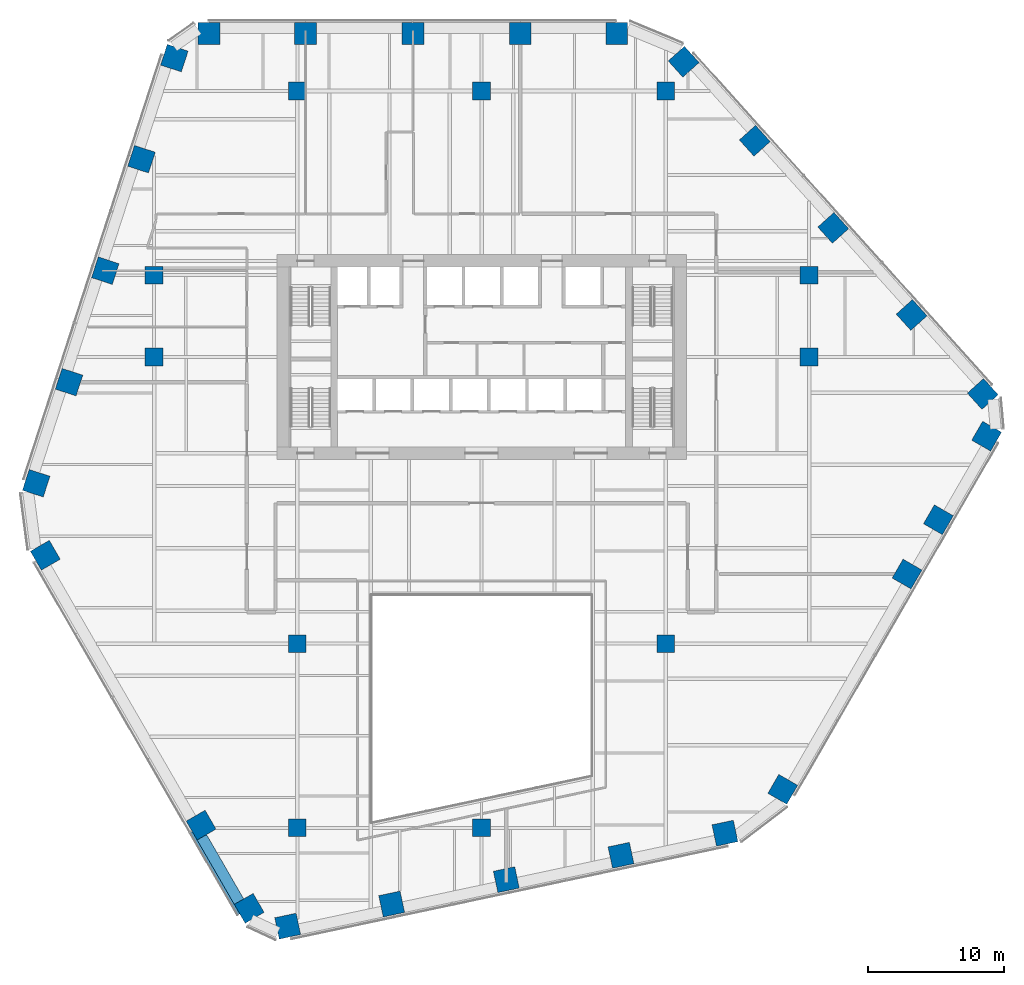
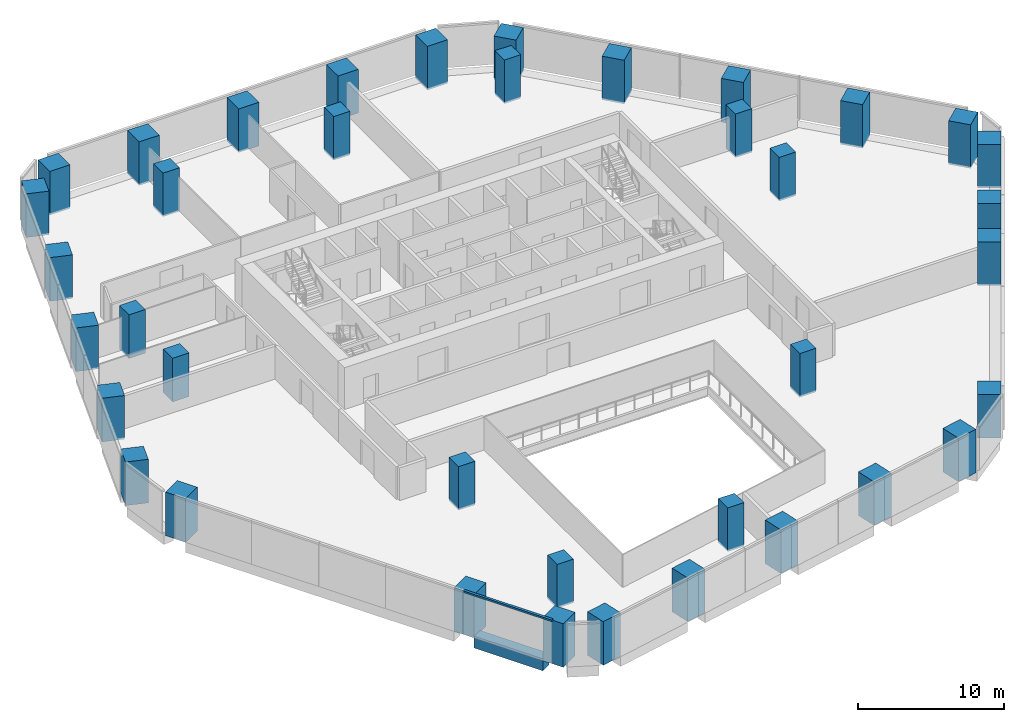
# One storey, part 1 of 19: 38 columns, 1 beam, 1 member, 1 element without a shape of its own.
"""IFC4 building model written with IfcOpenShell, lengths in metres."""

from ifc_helpers import new_model, si_unit, direction, frame, origin, origin_2d, place, context, subcontext, project, spatial, rectangle, extrude, material, layer, layer_set, material_profile, profile_set, type_object, element, aggregate, save


model = new_model("IFC4")

# Units and contexts
model_context = context("Model", 3, precision=1e-05, world=origin(), true_north=direction((0.0, 1.0)))
body_context = subcontext(model_context, "Body", "Model", "MODEL_VIEW")
ifc_project = project(units=[si_unit("LENGTHUNIT", "METRE"), si_unit("AREAUNIT", "SQUARE_METRE"), si_unit("VOLUMEUNIT", "CUBIC_METRE"), si_unit("PLANEANGLEUNIT", "RADIAN"), si_unit("MASSUNIT", "GRAM", prefix="KILO")], contexts=[model_context])

# Site, building, storey
site_placement = place(None, origin())
site = spatial("IfcSite", under=ifc_project, at=site_placement, CompositionType="ELEMENT")
building_placement = place(site_placement, origin())
building = spatial("IfcBuilding", under=site, at=building_placement, Name="Isthmus Gate Tower", CompositionType="ELEMENT")
storey_placement = place(building_placement, frame((0.0, 0.0, 95.25)))
storey = spatial("IfcBuildingStorey", under=building, at=storey_placement, Name="L22", CompositionType="ELEMENT", Elevation=95.25)

# Columns
ifc_material_1 = material(Name="Concrete f'c 70 MPa", Category="concrete")
ifc_material_profile_1 = material_profile(ifc_material_1, rectangle(XDim=1.300048828125, YDim=1.300048828125, at=origin_2d()), Name="RC 1300X1300")
ifc_profile_set_1 = profile_set([ifc_material_profile_1], Name="Concrete f'c 70 MPa")
column_type_1 = type_object("IfcColumnType", Name="RC INTERIOR COLUMN 1300 X 1300", PredefinedType="COLUMN", material=ifc_profile_set_1)
for number, where, z_axis, x_axis, name in (
    (1, (-24.0, 7.5, -0.14990234375), (0.0, 0.0, 1.0), (1.0, 0.0, 0.0), "str-icol-L22-ICA3"),
    (2, (-24.0, 13.5, -0.14990234375), (0.0, 0.0, 1.0), (1.0, 0.0, 0.0), "str-icol-L22-ICA4"),
    (3, (-13.5, -27.0, -0.14990234375), (0.0, 0.0, 1.0), (1.0, 0.0, 0.0), "str-icol-L22-ICB1"),
    (4, (-13.5, -13.5, -0.14990234375), (0.0, 0.0, 1.0), (1.0, 0.0, 0.0), "str-icol-L22-ICB2"),
    (5, (-13.5, 27.0, -0.14990234375), (0.0, 0.0, 1.0), (1.0, 0.0, 0.0), "str-icol-L22-ICB5"),
    (6, (0.0, -27.0, -0.14990234375), (0.0, 0.0, 1.0), (1.0, 0.0, 0.0), "str-icol-L22-ICC1"),
    (7, (0.0, 27.0, -0.14990234375), (0.0, 0.0, 1.0), (1.0, 0.0, 0.0), "str-icol-L22-ICC5"),
    (8, (13.5, -13.5, -0.14990234375), (0.0, 0.0, 1.0), (1.0, 0.0, 0.0), "str-icol-L22-ICD2"),
    (9, (13.5, 27.0, -0.14990234375), (0.0, 0.0, 1.0), (1.0, 0.0, 0.0), "str-icol-L22-ICD5"),
    (10, (24.0, 7.5, -0.14990234375), (0.0, 0.0, 1.0), (1.0, 0.0, 0.0), "str-icol-L22-ICE3"),
    (11, (24.0, 13.5, -0.14990234375), (0.0, 0.0, 1.0), (1.0, 0.0, 0.0), "str-icol-L22-ICE4"),
):
    element("IfcColumn", number, at=place(storey_placement, frame(where, z_axis=z_axis, x_axis=x_axis)), inside=storey, type_object=column_type_1, Name=name, PredefinedType="COLUMN", context=body_context, shape_type="SweptSolid", body=[
        extrude(rectangle(XDim=1.300048828125, YDim=1.300048828125, at=origin_2d()), origin(), (0.0, 0.0, 1.0), 3.64990234375),
    ])
ifc_material_2 = material(Name="Concrete f'c 70 MPa", Category="concrete")
ifc_material_profile_2 = material_profile(ifc_material_2, rectangle(XDim=1.60009765625, YDim=1.60009765625, at=origin_2d()), Name="RC 1600X1600")
ifc_profile_set_2 = profile_set([ifc_material_profile_2], Name="Concrete f'c 70 MPa")
column_type_2 = type_object("IfcColumnType", Name="RC TUBE COLUMN 1600 X 1600", PredefinedType="COLUMN", material=ifc_profile_set_2)
for number, where, z_axis, x_axis, name in (
    (12, (9.90185546875, 31.199951171875, -0.14990234375), (0.0, 0.0, 1.0), (-1.0, 0.0, 0.0), "str-tcol-L22-T1N0"),
    (13, (2.832275390625, 31.199951171875, -0.14990234375), (0.0, 0.0, 1.0), (-1.0, 0.0, 0.0), "str-tcol-L22-T1N1"),
    (14, (-5.037109375, 31.199951171875, -0.14990234375), (0.0, 0.0, 1.0), (-1.0, 0.0, 0.0), "str-tcol-L22-T1N2"),
    (15, (-12.90673828125, 31.199951171875, -0.14990234375), (0.0, 0.0, 1.0), (-1.0, 0.0, 0.0), "str-tcol-L22-T1N3"),
    (16, (-19.976318359375, 31.199951171875, -0.14990234375), (0.0, 0.0, 1.0), (-1.0, 0.0, 0.0), "str-tcol-L22-T1N4"),
    (17, (-22.515380859375, 29.406982421875, -0.14990234375), (0.0, 0.0, 1.0), (-0.309016994375, -0.951056516295, 0.0), "str-tcol-L22-T1NW0"),
    (18, (-24.922607421875, 21.998779296875, -0.14990234375), (0.0, 0.0, 1.0), (-0.309016994375, -0.951056516295, 0.0), "str-tcol-L22-T1NW1"),
    (19, (-27.57666015625, 13.829833984375, -0.14990234375), (0.0, 0.0, 1.0), (-0.309016994375, -0.951056516295, 0.0), "str-tcol-L22-T1NW2"),
    (20, (-30.23095703125, 5.660888671875, -0.14990234375), (0.0, 0.0, 1.0), (-0.309016994375, -0.951056516295, 0.0), "str-tcol-L22-T1NW3"),
    (21, (-32.63818359375, -1.747314453125, -0.14990234375), (0.0, 0.0, 1.0), (-0.309016994375, -0.951056516295, 0.0), "str-tcol-L22-T1NW4"),
    (22, (-31.970947265625, -7.024658203125, -0.14990234375), (0.0, 0.0, 1.0), (0.5, -0.866025403784, 0.0), "str-tcol-L22-T1SW0"),
    (23, (-20.5537109375, -26.800048828125, -0.14990234375), (0.0, 0.0, 1.0), (0.5, -0.866025403784, 0.0), "str-tcol-L22-T1SW2"),
    (24, (-17.031982421875, -32.89990234375, -0.14990234375), (0.0, 0.0, 1.0), (0.5, -0.866025403784, 0.0), "str-tcol-L22-T1SW3"),
    (25, (-14.20947265625, -34.202392578125, -0.14990234375), (0.0, 0.0, 1.0), (0.978147600734, 0.207911690818, 0.0), "str-tcol-L22-T1S0"),
    (26, (-6.59033203125, -32.5830078125, -0.14990234375), (0.0, 0.0, 1.0), (0.978147600734, 0.207911690818, 0.0), "str-tcol-L22-T1S1"),
    (27, (1.811279296875, -30.797119140625, -0.14990234375), (0.0, 0.0, 1.0), (0.978147600734, 0.207911690818, 0.0), "str-tcol-L22-T1S2"),
    (28, (10.213134765625, -29.01123046875, -0.14990234375), (0.0, 0.0, 1.0), (0.978147600734, 0.207911690818, 0.0), "str-tcol-L22-T1S3"),
    (29, (17.832275390625, -27.391845703125, -0.14990234375), (0.0, 0.0, 1.0), (0.978147600734, 0.207911690818, 0.0), "str-tcol-L22-T1S4"),
    (30, (22.069091796875, -24.17529296875, -0.14990234375), (0.0, 0.0, 1.0), (0.5, 0.866025403784, 0.0), "str-tcol-L22-T1SE0"),
    (31, (31.177001953125, -8.39990234375, -0.14990234375), (0.0, 0.0, 1.0), (0.5, 0.866025403784, 0.0), "str-tcol-L22-T1SE1"),
    (32, (33.473388671875, -4.42236328125, -0.14990234375), (0.0, 0.0, 1.0), (0.5, 0.866025403784, 0.0), "str-tcol-L22-T1SE2"),
    (33, (37.008056640625, 1.699951171875, -0.14990234375), (0.0, 0.0, 1.0), (0.5, 0.866025403784, 0.0), "str-tcol-L22-T1SE3"),
    (34, (36.724853515625, 4.79541015625, -0.14990234375), (0.0, 0.0, 1.0), (-0.669130606359, 0.743144825477, 0.0), "str-tcol-L22-T1NE0"),
    (35, (31.5126953125, 10.584228515625, -0.14990234375), (0.0, 0.0, 1.0), (-0.669130606359, 0.743144825477, 0.0), "str-tcol-L22-T1NE1"),
    (36, (25.765380859375, 16.96728515625, -0.14990234375), (0.0, 0.0, 1.0), (-0.669130606359, 0.743144825477, 0.0), "str-tcol-L22-T1NE2"),
    (37, (20.01806640625, 23.350341796875, -0.14990234375), (0.0, 0.0, 1.0), (-0.669130606359, 0.743144825477, 0.0), "str-tcol-L22-T1NE3"),
    (38, (14.805908203125, 29.138916015625, -0.14990234375), (0.0, 0.0, 1.0), (-0.669130606359, 0.743144825477, 0.0), "str-tcol-L22-T1NE4"),
):
    element("IfcColumn", number, at=place(storey_placement, frame(where, z_axis=z_axis, x_axis=x_axis)), inside=storey, type_object=column_type_2, Name=name, PredefinedType="COLUMN", context=body_context, shape_type="SweptSolid", body=[
        extrude(rectangle(XDim=1.60009765625, YDim=1.60009765625, at=origin_2d()), origin(), (0.0, 0.0, 1.0), 3.64990234375),
    ])

# Curtain wall, member
ifc_material_3 = material(Name="Aluminium, pale champagne anodised", Category="aluminium")
ifc_layer = layer(ifc_material_3, 0.199951171875)
ifc_layer_set = layer_set([ifc_layer], Name="CW-1 UNITISED CURTAIN WALL 200 DEEP")
curtain_wall_type = type_object("IfcCurtainWallType", Name="CW-1 UNITISED CURTAIN WALL 200 DEEP", PredefinedType="NOTDEFINED", material=ifc_layer_set)
curtain_wall_placement = place(storey_placement, origin())
curtain_wall = element("IfcCurtainWall", 39, at=curtain_wall_placement, inside=storey, type_object=curtain_wall_type, Name="CW-1 SW L22", PredefinedType="NOTDEFINED")
ifc_material_4 = material(Name="Aluminium, pale champagne anodised", Category="aluminium")
ifc_material_profile_3 = material_profile(ifc_material_4, rectangle(XDim=0.199951171875, YDim=0.14990234375, at=origin_2d()), Name="200x150")
ifc_profile_set_3 = profile_set([ifc_material_profile_3], Name="Aluminium, pale champagne anodised")
member_type = type_object("IfcMemberType", Name="CW-1 TRANSOM 200 X 150", PredefinedType="USERDEFINED", material=ifc_profile_set_3)
member_placement = place(storey_placement, frame((-21.302978515625, -27.302001953125, 3.574951171875), z_axis=(0.499996830835, -0.866027233495, 0.0), x_axis=(0.866027233495, 0.499996830835, 0.0)))
member = element("IfcMember", 40, at=member_placement, type_object=member_type, Name="CW-1 transom", ObjectType="TRANSOM", PredefinedType="USERDEFINED", context=body_context, shape_type="SweptSolid", body=[
    extrude(rectangle(XDim=0.199951171875, YDim=0.14990234375, at=origin_2d()), origin(), (0.0, 0.0, 1.0), 6.9833984375),
])
aggregate(curtain_wall, [member])

# Beam
ifc_material_5 = material(Name="Concrete f'c 70 MPa", Category="concrete")
ifc_material_profile_4 = material_profile(ifc_material_5, rectangle(XDim=0.800048828125, YDim=1.0, at=origin_2d()), Name="RC 800X1000")
ifc_profile_set_4 = profile_set([ifc_material_profile_4], Name="Concrete f'c 70 MPa")
beam_type = type_object("IfcBeamType", Name="RC SPANDREL 800 X 1000", PredefinedType="SPANDREL", material=ifc_profile_set_4)
beam_placement = place(storey_placement, frame((-17.7783203125, -32.406982421875, -0.5), z_axis=(-0.499998104561, 0.866026498114, 0.0), x_axis=(-0.866026498114, -0.499998104561, 0.0)))
element("IfcBeam", 41, at=beam_placement, inside=storey, type_object=beam_type, Name="str-spandrel-L22-15", PredefinedType="SPANDREL", context=body_context, shape_type="SweptSolid", body=[
    extrude(rectangle(XDim=0.800048828125, YDim=1.0, at=origin_2d()), origin(), (0.0, 0.0, 1.0), 5.443359375),
])

save(model, "model.ifc")
